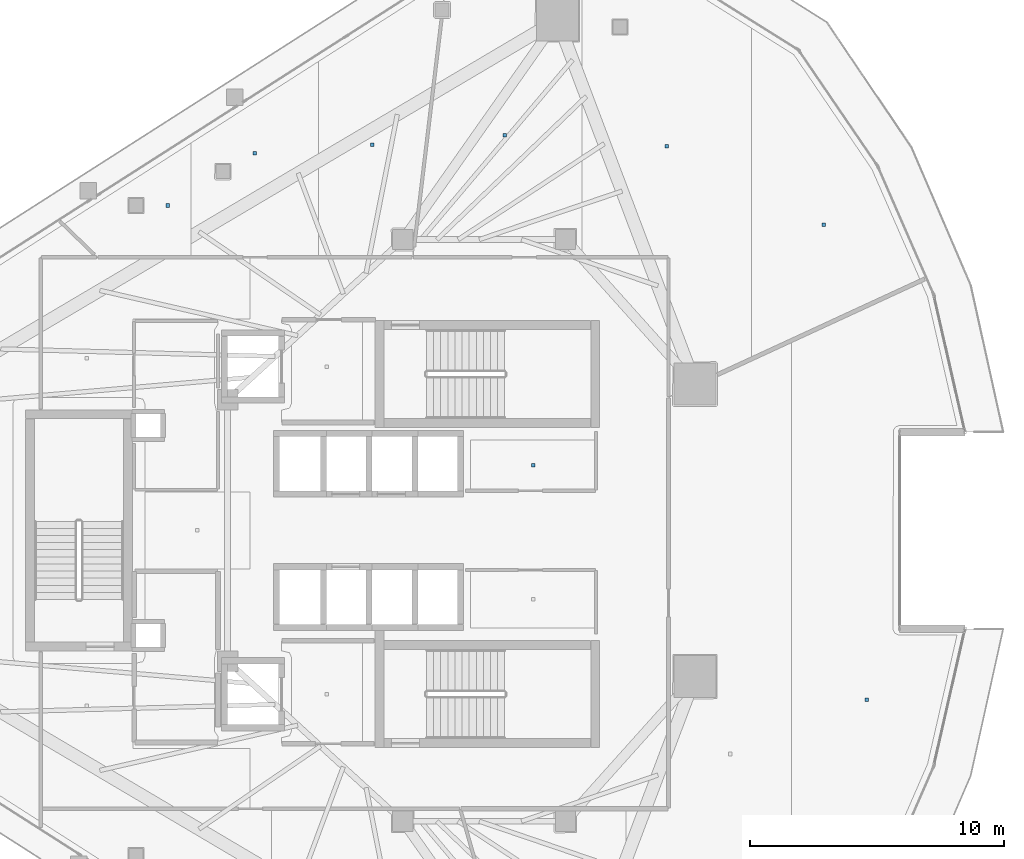
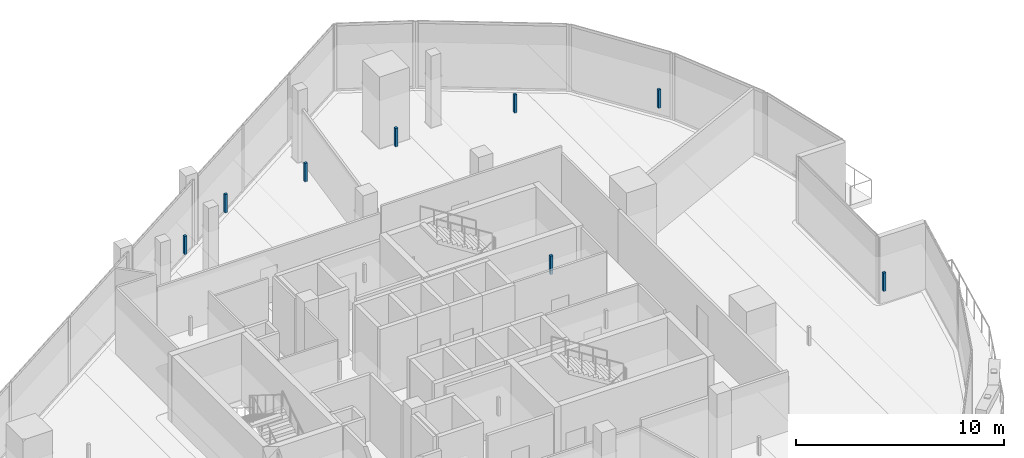
# One storey, part 24 of 31: 8 discrete accessories.
"""IFC4 building model written with IfcOpenShell, lengths in metres."""

from ifc_helpers import new_model, si_unit, direction, frame, origin, origin_2d, place, context, subcontext, project, spatial, rectangle, extrude, material, type_object, element, save


model = new_model("IFC4")

# Units and contexts
model_context = context("Model", 3, precision=1e-05, world=origin(), true_north=direction((0.0, 1.0)))
body_context = subcontext(model_context, "Body", "Model", "MODEL_VIEW")
ifc_project = project(units=[si_unit("LENGTHUNIT", "METRE"), si_unit("AREAUNIT", "SQUARE_METRE"), si_unit("VOLUMEUNIT", "CUBIC_METRE"), si_unit("PLANEANGLEUNIT", "RADIAN"), si_unit("MASSUNIT", "GRAM", prefix="KILO")], contexts=[model_context])

# Site, building, storey
site_placement = place(None, origin())
site = spatial("IfcSite", under=ifc_project, at=site_placement, CompositionType="ELEMENT")
building_placement = place(site_placement, origin())
building = spatial("IfcBuilding", under=site, at=building_placement, Name="Qorvath Tower", CompositionType="ELEMENT")
storey_placement = place(building_placement, frame((0.0, 0.0, 259.800048828125)))
storey = spatial("IfcBuildingStorey", under=building, at=storey_placement, Name="L60", CompositionType="ELEMENT", Elevation=259.800048828125)

# Discrete accessories
ifc_material = material(Name="Galvanised steel bracket", Category="steel")
discrete_accessory_type = type_object("IfcDiscreteAccessoryType", Name="DA-BRACKET", PredefinedType="BRACKET", material=ifc_material)
for number, where, z_axis, x_axis, name in (
    (1, (-18.472412109375, 2.5625, 2.85986328125), (0.0, 0.0, 1.0), (1.0, 0.0, 0.0), "Acoustic Ceiling Suspension Hanger T1-L60-003"),
    (2, (-5.33251953125, -6.658203125, 2.85986328125), (0.0, 0.0, 1.0), (1.0, 0.0, 0.0), "Acoustic Ceiling Suspension Hanger T1-L60-015"),
    (3, (-19.58203125, 15.554443359375, 2.85986328125), (0.0, 0.0, 1.0), (1.0, 0.0, 0.0), "Acoustic Ceiling Suspension Hanger T1-L60-016"),
    (4, (-13.21142578125, 15.13134765625, 2.85986328125), (0.0, 0.0, 1.0), (1.0, 0.0, 0.0), "Acoustic Ceiling Suspension Hanger T1-L60-017"),
    (5, (-7.031005859375, 12.028076171875, 2.85986328125), (0.0, 0.0, 1.0), (1.0, 0.0, 0.0), "Acoustic Ceiling Suspension Hanger T1-L60-018"),
    (6, (-32.86328125, 12.79248046875, 2.85986328125), (0.0, 0.0, 1.0), (1.0, 0.0, 0.0), "Acoustic Ceiling Suspension Hanger T1-L60-019"),
    (7, (-29.431396484375, 14.84814453125, 2.85986328125), (0.0, 0.0, 1.0), (1.0, 0.0, 0.0), "Acoustic Ceiling Suspension Hanger T1-L60-020"),
    (8, (-24.80419921875, 15.185546875, 2.85986328125), (0.0, 0.0, 1.0), (1.0, 0.0, 0.0), "Acoustic Ceiling Suspension Hanger T1-L60-021"),
):
    element("IfcDiscreteAccessory", number, at=place(storey_placement, frame(where, z_axis=z_axis, x_axis=x_axis)), inside=storey, type_object=discrete_accessory_type, Name=name, PredefinedType="NOTDEFINED", context=body_context, shape_type="SweptSolid", body=[
        extrude(rectangle(XDim=0.139892578125, YDim=0.139892578125, at=origin_2d()), origin(), (0.0, 0.0, 1.0), 1.080078125),
    ])

save(model, "model.ifc")
